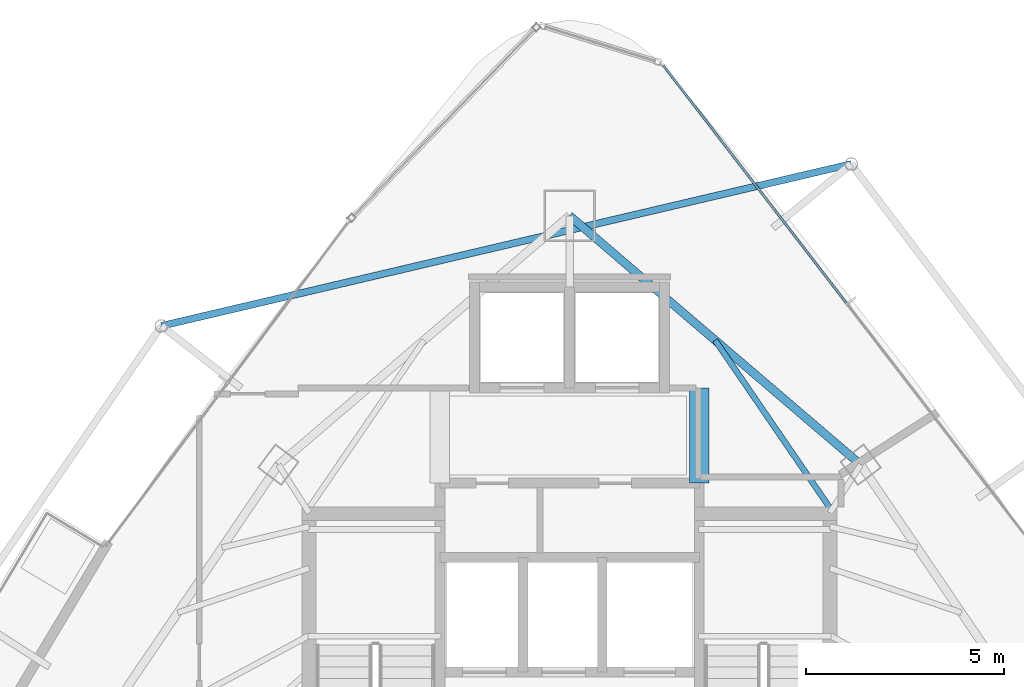
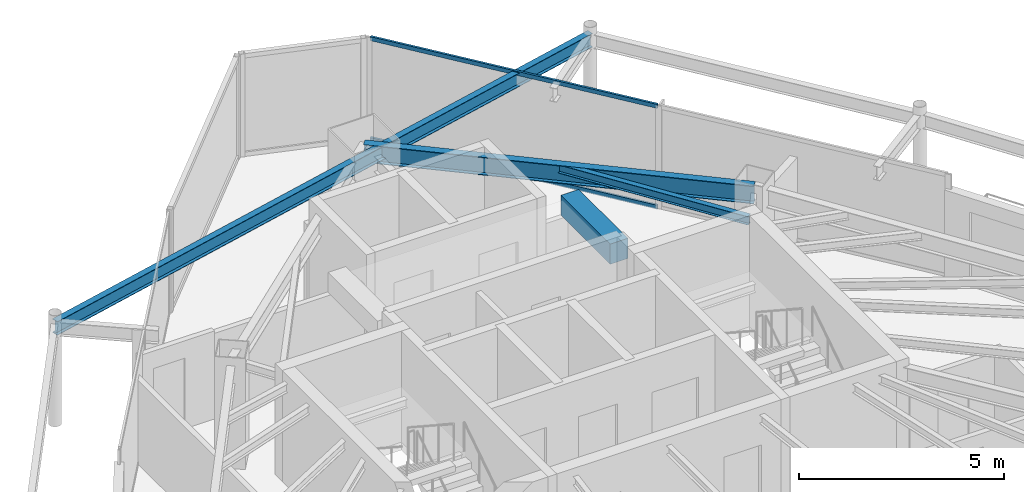
# One storey, part 24 of 33: 4 beams, 2 members, 1 element without a shape of its own.
"""IFC4 building model written with IfcOpenShell, lengths in metres."""

from ifc_helpers import new_model, si_unit, direction, frame, origin, origin_2d, place, context, subcontext, project, spatial, rectangle, hollow_rectangle, i_section, extrude, material, layer, layer_set, material_profile, profile_set, type_object, element, aggregate, save


model = new_model("IFC4")

# Units and contexts
model_context = context("Model", 3, precision=1e-05, world=origin(), true_north=direction((0.0, 1.0)))
body_context = subcontext(model_context, "Body", "Model", "MODEL_VIEW")
ifc_project = project(units=[si_unit("LENGTHUNIT", "METRE"), si_unit("AREAUNIT", "SQUARE_METRE"), si_unit("VOLUMEUNIT", "CUBIC_METRE"), si_unit("PLANEANGLEUNIT", "RADIAN"), si_unit("MASSUNIT", "GRAM", prefix="KILO")], contexts=[model_context])

# Site, building, storey
site_placement = place(None, origin())
site = spatial("IfcSite", under=ifc_project, at=site_placement, CompositionType="ELEMENT")
building_placement = place(site_placement, origin())
building = spatial("IfcBuilding", under=site, at=building_placement, Name="Orvanel Arch Residences", CompositionType="ELEMENT")
storey_placement = place(building_placement, frame((0.0, 0.0, 206.300048828125)))
storey = spatial("IfcBuildingStorey", under=building, at=storey_placement, Name="L58", CompositionType="ELEMENT", Elevation=206.300048828125)

# Beams
ifc_material_1 = material(Name="Structural steel AS/NZS 3679.1 Grade 300 (300 MPa)", Category="steel")
ifc_material_profile_1 = material_profile(ifc_material_1, i_section(OverallWidth=0.14599609375, OverallDepth=0.251953125, WebThickness=0.006103515625, FlangeThickness=0.008544921875, at=origin_2d()), Name="250UB31.4")
ifc_profile_set_1 = profile_set([ifc_material_profile_1], Name="Structural steel AS/NZS 3679.1 Grade 300 (300 MPa)")
beam_type_1 = type_object("IfcBeamType", Name="BJ-250UB", PredefinedType="JOIST", material=ifc_profile_set_1)
beam_1_placement = place(storey_placement, frame((39.574951171875, 34.02001953125, 2.933837890625), z_axis=(-0.564868085352, 0.825181220188, 0.0), x_axis=(-0.825181220188, -0.564868085352, 0.0)))
element("IfcBeam", 1, at=beam_1_placement, inside=storey, type_object=beam_type_1, Name="L58 NNE2 Wing Floor Joist", PredefinedType="JOIST", context=body_context, shape_type="SweptSolid", body=[
    extrude(i_section(OverallWidth=0.14599609375, OverallDepth=0.251953125, WebThickness=0.006103515625, FlangeThickness=0.008544921875, at=origin_2d()), origin(), (0.0, 0.0, 1.0), 5.132080078125),
])
ifc_material_2 = material(Name="Concrete S65 (65 MPa)", Category="concrete")
ifc_material_profile_2 = material_profile(ifc_material_2, rectangle(XDim=0.5, YDim=0.60009765625, at=origin_2d()), Name="RC500x600")
ifc_profile_set_2 = profile_set([ifc_material_profile_2], Name="Concrete S65 (65 MPa)")
beam_type_2 = type_object("IfcBeamType", Name="CB-500x600", PredefinedType="LINTEL", material=ifc_profile_set_2)
beam_2_placement = place(storey_placement, frame((36.27490234375, 34.64990234375, 2.760009765625), z_axis=(0.0, 1.0, 0.0), x_axis=(-1.0, 0.0, 0.0)))
element("IfcBeam", 2, at=beam_2_placement, inside=storey, type_object=beam_type_2, Name="L58 East Core Lobby Coupling Lintel Beam", PredefinedType="LINTEL", context=body_context, shape_type="SweptSolid", body=[
    extrude(rectangle(XDim=0.5, YDim=0.60009765625, at=origin_2d()), origin(), (0.0, 0.0, 1.0), 2.400146484375),
])
ifc_material_profile_3 = material_profile(ifc_material_1, i_section(OverallWidth=0.177978515625, OverallDepth=0.406005859375, WebThickness=0.0078125, FlangeThickness=0.0126953125, at=origin_2d()), Name="410UB59.7")
ifc_profile_set_3 = profile_set([ifc_material_profile_3], Name="Structural steel AS/NZS 3679.1 Grade 300 (300 MPa)")
beam_type_3 = type_object("IfcBeamType", Name="OB-410UB-EXT", PredefinedType="SPANDREL", material=ifc_profile_set_3)
beam_3_placement = place(storey_placement, frame((40.112060546875, 42.7041015625, 2.85693359375), z_axis=(-0.973556400368, -0.228446788778, 0.0), x_axis=(0.228446788778, -0.973556400368, 0.0)))
element("IfcBeam", 3, at=beam_3_placement, inside=storey, type_object=beam_type_3, Name="L58 Outer Perimeter Floor Ring Beam 12", PredefinedType="SPANDREL", context=body_context, shape_type="SweptSolid", body=[
    extrude(i_section(OverallWidth=0.177978515625, OverallDepth=0.406005859375, WebThickness=0.0078125, FlangeThickness=0.0126953125, at=origin_2d()), origin(), (0.0, 0.0, 1.0), 17.89111328125),
])
ifc_material_profile_4 = material_profile(ifc_material_1, i_section(OverallWidth=0.208984375, OverallDepth=0.532958984375, WebThickness=0.01025390625, FlangeThickness=0.015625, at=origin_2d()), Name="530UB92.4")
ifc_profile_set_4 = profile_set([ifc_material_profile_4], Name="Structural steel AS/NZS 3679.1 Grade 300 (300 MPa)")
beam_type_4 = type_object("IfcBeamType", Name="SP-530UB", PredefinedType="SPANDREL", material=ifc_profile_set_4)
beam_4_placement = place(storey_placement, frame((40.35205078125, 35.113037109375, 2.7939453125), z_axis=(-0.760116518398, 0.649786794617, 0.0), x_axis=(-0.649786794617, -0.760116518398, 0.0)))
element("IfcBeam", 4, at=beam_4_placement, inside=storey, type_object=beam_type_4, Name="L58 Perimeter Spandrel Beam 09", PredefinedType="SPANDREL", context=body_context, shape_type="SweptSolid", body=[
    extrude(i_section(OverallWidth=0.208984375, OverallDepth=0.532958984375, WebThickness=0.01025390625, FlangeThickness=0.015625, at=origin_2d()), origin(), (0.0, 0.0, 1.0), 9.67236328125),
])

# Curtain wall, members
ifc_material_3 = material(Name="Bronze-anodised aluminium AA6063-T6", Category="aluminium")
ifc_layer = layer(ifc_material_3, 0.175048828125)
ifc_layer_set = layer_set([ifc_layer], Name="Bronze-anodised aluminium AA6063-T6")
curtain_wall_type = type_object("IfcCurtainWallType", Name="CW4-HI-SYS", PredefinedType="NOTDEFINED", material=ifc_layer_set)
curtain_wall_placement = place(storey_placement, origin())
curtain_wall = element("IfcCurtainWall", 5, at=curtain_wall_placement, inside=storey, type_object=curtain_wall_type, Name="L58 CW4-HI-SYS Unitised Curtain Wall", PredefinedType="NOTDEFINED")
ifc_material_profile_5 = material_profile(ifc_material_3, hollow_rectangle(XDim=0.06005859375, YDim=0.1201171875, WallThickness=0.00341796875, at=origin_2d()), Name="ALU120x60x3.5")
ifc_profile_set_5 = profile_set([ifc_material_profile_5], Name="Bronze-anodised aluminium AA6063-T6")
member_type = type_object("IfcMemberType", Name="TRN-120x60", PredefinedType="USERDEFINED", material=ifc_profile_set_5)
member_1_placement = place(storey_placement, frame((39.987548828125, 39.19775390625, 0.030029296875), z_axis=(-0.610326524777, 0.792149943605, 0.0), x_axis=(-0.792149943605, -0.610326524777, 0.0)))
member_1 = element("IfcMember", 6, at=member_1_placement, type_object=member_type, Name="CW-S4 transom 2.1", ObjectType="TRANSOM", PredefinedType="USERDEFINED", context=body_context, shape_type="SweptSolid", body=[
    extrude(hollow_rectangle(XDim=0.06005859375, YDim=0.1201171875, WallThickness=0.00341796875, at=origin_2d()), origin(), (0.0, 0.0, 1.0), 7.56640625),
])
member_2_placement = place(storey_placement, frame((39.987548828125, 39.19775390625, 3.030029296875), z_axis=(-0.610326524777, 0.792149943605, 0.0), x_axis=(-0.792149943605, -0.610326524777, 0.0)))
member_2 = element("IfcMember", 7, at=member_2_placement, type_object=member_type, Name="CW-S4 transom 2.2", ObjectType="TRANSOM", PredefinedType="USERDEFINED", context=body_context, shape_type="SweptSolid", body=[
    extrude(hollow_rectangle(XDim=0.06005859375, YDim=0.1201171875, WallThickness=0.00341796875, at=origin_2d()), origin(), (0.0, 0.0, 1.0), 7.56640625),
])
aggregate(curtain_wall, [member_1, member_2])

save(model, "model.ifc")
